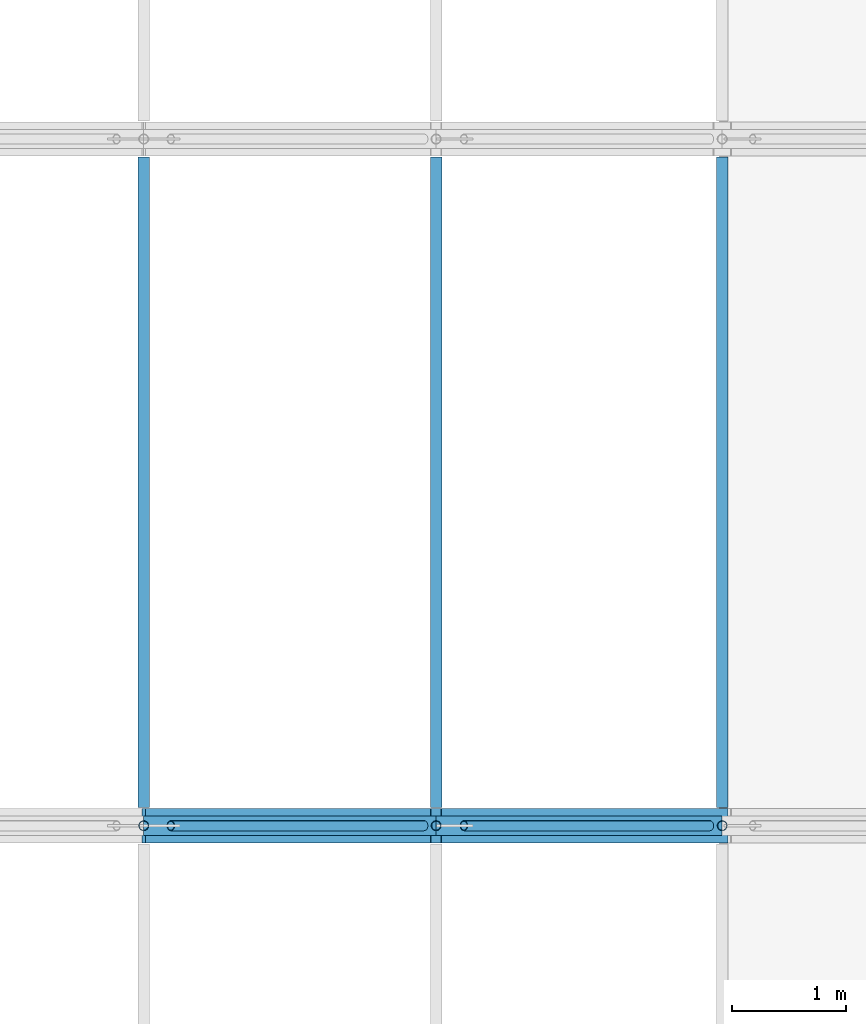
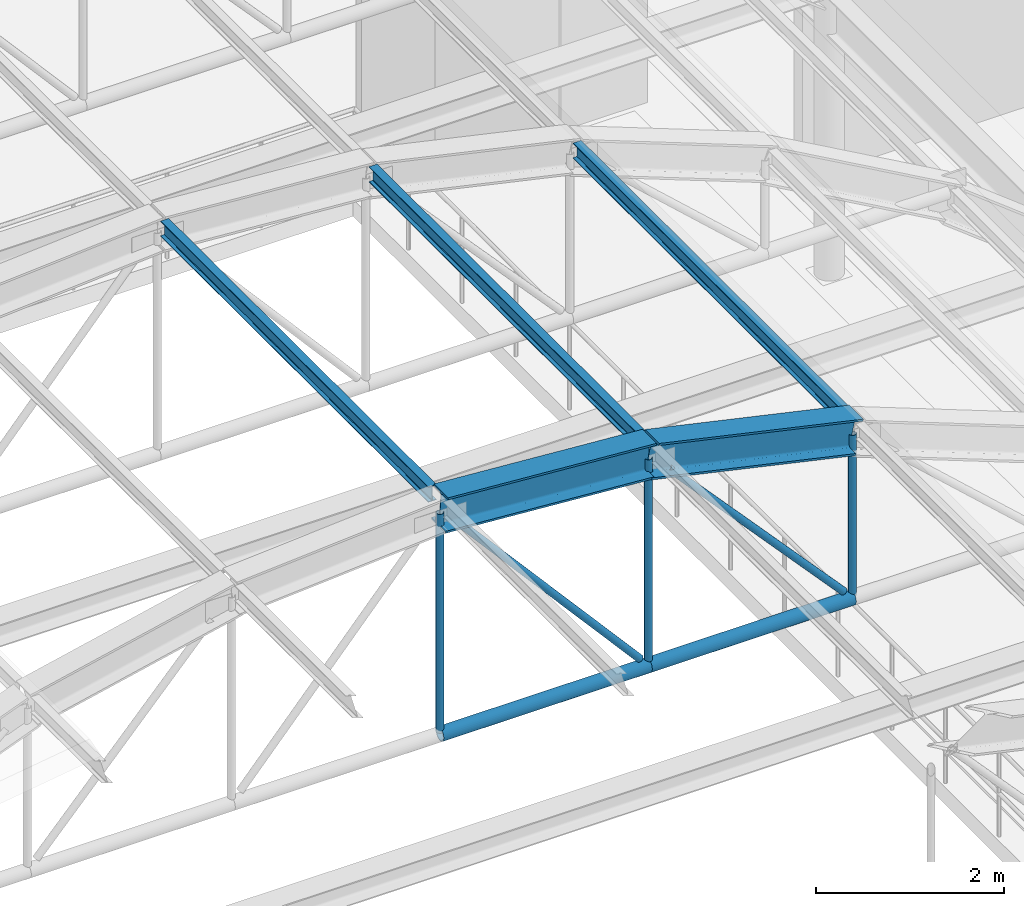
# One storey, part 44 of 148: 7 members, 5 beams.
"""IFC4 building model written with IfcOpenShell, lengths in metres."""

import ifcopenshell
import ifcopenshell.guid

model = None  # the IFC model being written
_history = None  # IfcOwnerHistory: only IFC2X3 demands one
_inside = {}  # id of a spatial element -> (the spatial element, [elements in it])
_under = {}  # id of a project, library or spatial element -> (it, [spatial elements below it])
_declared = {}  # id of a project -> (the project, [libraries it declares])
_typed = {}  # id of a type object -> (the type object, [elements of that type])
_made_of = {}  # id of a material, layer set ... -> (it, [elements and type objects made of it])


def new_model(schema):
    """Start an empty IFC model of exactly this schema.

    Asked for "IFC4X3", IfcOpenShell would pick the latest addendum, in which some entities
    have other attributes; the version numbers below select the first issue.
    IFC2X3 requires an IfcOwnerHistory on every rooted entity: one is made here for all.
    """
    global model, _history
    if schema == "IFC4X3":
        model = ifcopenshell.file(schema_version=(4, 3, 0, 0))
    else:
        model = ifcopenshell.file(schema=schema)
    _inside.clear()
    _under.clear()
    _declared.clear()
    _typed.clear()
    _made_of.clear()
    _history = None
    if model.schema == "IFC2X3":
        org = make("IfcOrganization", Name="unknown")
        user = make(
            "IfcPersonAndOrganization",
            ThePerson=make("IfcPerson", FamilyName="unknown"),
            TheOrganization=org,
        )
        app = make(
            "IfcApplication",
            ApplicationDeveloper=org,
            Version="unknown",
            ApplicationFullName="unknown",
            ApplicationIdentifier="unknown",
        )
        _history = make(
            "IfcOwnerHistory",
            OwningUser=user,
            OwningApplication=app,
            ChangeAction="ADDED",
            CreationDate=0,
        )
    return model


def make(cls, **values):
    """One entity of the class cls with the attributes given. An attribute that is None is left unset."""
    return model.create_entity(
        cls, **{name: value for name, value in values.items() if value is not None}
    )


def rooted(cls, **values):
    """An entity with a GlobalId (a new one), such as an element, a storey or a relation."""
    return make(cls, GlobalId=ifcopenshell.guid.new(), OwnerHistory=_history, **values)


def si_unit(unit_type, name, prefix=None):
    """IfcSIUnit, for example si_unit("LENGTHUNIT", "METRE", prefix="MILLI")."""
    return make("IfcSIUnit", UnitType=unit_type, Prefix=prefix, Name=name)


def assignment(units):
    """IfcUnitAssignment: the units of a project."""
    return None if units is None else make("IfcUnitAssignment", Units=units)


def point(xyz):
    """IfcCartesianPoint."""
    return None if xyz is None else make("IfcCartesianPoint", Coordinates=xyz)


def direction(xyz):
    """IfcDirection."""
    return None if xyz is None else make("IfcDirection", DirectionRatios=xyz)


def frame(location, z_axis=None, x_axis=None):
    """IfcAxis2Placement3D, a coordinate frame: its origin and axes. An axis left out is left unset."""
    return make(
        "IfcAxis2Placement3D",
        Location=point(location),
        Axis=direction(z_axis),
        RefDirection=direction(x_axis),
    )


def frame_2d(location, x_axis=None):
    """IfcAxis2Placement2D, a coordinate frame in the plane: its origin and x axis."""
    return make(
        "IfcAxis2Placement2D", Location=point(location), RefDirection=direction(x_axis)
    )


def origin():
    """The frame at (0, 0, 0) with its axes left unset."""
    return frame((0.0, 0.0, 0.0))


def origin_2d():
    """The frame at (0, 0) in the plane with its x axis left unset."""
    return frame_2d((0.0, 0.0))


def place(relative_to, where):
    """IfcLocalPlacement: puts the frame where relative to a parent placement (None: the world)."""
    return make(
        "IfcLocalPlacement", PlacementRelTo=relative_to, RelativePlacement=where
    )


def context(
    kind, dimensions, precision=None, world=None, true_north=None, identifier=None
):
    """IfcGeometricRepresentationContext, for example the 3D "Model" context."""
    return make(
        "IfcGeometricRepresentationContext",
        ContextIdentifier=identifier,
        ContextType=kind,
        CoordinateSpaceDimension=dimensions,
        Precision=precision,
        WorldCoordinateSystem=world,
        TrueNorth=true_north,
    )


def subcontext(parent, identifier, kind, view, scale=None):
    """IfcGeometricRepresentationSubContext, for example "Body" below "Model"."""
    return make(
        "IfcGeometricRepresentationSubContext",
        ContextIdentifier=identifier,
        ContextType=kind,
        ParentContext=parent,
        TargetScale=scale,
        TargetView=view,
    )


def project(units=None, contexts=None):
    """IfcProject with its units and contexts."""
    return rooted(
        "IfcProject",
        Name="project",
        RepresentationContexts=contexts,
        UnitsInContext=assignment(units),
    )


def spatial(cls, under=None, at=None, **own):
    """A site, building, storey or space (cls), placed at a placement, below another one or the project."""
    s = rooted(cls, ObjectPlacement=at, **own)
    if under is not None:
        _under.setdefault(under.id(), (under, []))[1].append(s)
    return s


def profile(cls, at=None, kind="AREA", **sizes):
    """A parametric profile (cls). Its sizes go by their IFC names, for example OverallWidth=200.0."""
    return make(cls, ProfileType=kind, Position=at, **sizes)


def hollow_circle(**sizes):
    """IfcCircleHollowProfileDef."""
    return profile("IfcCircleHollowProfileDef", **sizes)


def i_section(**sizes):
    """IfcIShapeProfileDef."""
    return profile("IfcIShapeProfileDef", **sizes)


def extrude(swept, where, along, depth):
    """IfcExtrudedAreaSolid: the profile swept, set in the frame where, extruded along a direction by depth."""
    return make(
        "IfcExtrudedAreaSolid",
        SweptArea=swept,
        Position=where,
        ExtrudedDirection=direction(along),
        Depth=depth,
    )


def shape(context_of_items, identifier, shape_type, items):
    """IfcShapeRepresentation: the items that make up one representation, for example the "Body"."""
    return make(
        "IfcShapeRepresentation",
        ContextOfItems=context_of_items,
        RepresentationIdentifier=identifier,
        RepresentationType=shape_type,
        Items=items,
    )


def material(Name=None, Category=None):
    """IfcMaterial."""
    return make("IfcMaterial", Name=Name, Category=Category)


def material_profile(
    of_material, cross_section, Name=None, Category=None, Priority=None
):
    """IfcMaterialProfile: a cross section and its material."""
    return make(
        "IfcMaterialProfile",
        Name=Name,
        Material=of_material,
        Profile=cross_section,
        Priority=Priority,
        Category=Category,
    )


def profile_set(profiles, Name=None, composite=None):
    """IfcMaterialProfileSet."""
    return make(
        "IfcMaterialProfileSet",
        Name=Name,
        MaterialProfiles=profiles,
        CompositeProfile=composite,
    )


def made_of(thing, what):
    """Note that an element or type object is made of a material, layer set ...; save() writes the relation."""
    if what is not None:
        _made_of.setdefault(what.id(), (what, []))[1].append(thing)
    return thing


def type_object(cls, material=None, **own):
    """A type object (cls), such as IfcWallType, which elements share."""
    return made_of(rooted(cls, **own), material)


def element(
    cls,
    number,
    at=None,
    inside=None,
    cuts=None,
    type_object=None,
    material=None,
    context=None,
    identifier="Body",
    shape_type=None,
    held_by="IfcProductDefinitionShape",
    body=None,
    shapes=None,
    **own,
):
    """One element of the class cls, such as IfcWall. Its Tag is "e" and its number.

    at: its placement. inside: the storey or other place that contains it. cuts: it is an
    opening in that element (IfcRelVoidsElement). A single representation is given by context,
    identifier, shape_type and body (its items); several are given by shapes. held_by: the class
    of the entity that holds the representations. save() writes the other relations.
    """
    e = rooted(cls, Tag="e%d" % number, ObjectPlacement=at, **own)
    if body is not None:
        shapes = [shape(context, identifier, shape_type, body)]
    if shapes is not None:
        e.Representation = make(held_by, Representations=shapes)
    if inside is not None:
        _inside.setdefault(inside.id(), (inside, []))[1].append(e)
    if cuts is not None:
        rooted(
            "IfcRelVoidsElement", RelatingBuildingElement=cuts, RelatedOpeningElement=e
        )
    if type_object is not None:
        _typed.setdefault(type_object.id(), (type_object, []))[1].append(e)
    return made_of(e, material)


def aggregate(whole, parts):
    """IfcRelAggregates: a whole, such as a stair, and the parts it consists of."""
    return rooted("IfcRelAggregates", RelatingObject=whole, RelatedObjects=parts)


def save(model, path):
    """Write the relations noted so far, then the file.

    IfcRelAggregates (storeys below a building ...), IfcRelContainedInSpatialStructure (elements
    in a storey), IfcRelDefinesByType, IfcRelAssociatesMaterial and IfcRelDeclares: one each for
    every whole, place, type object, material and project.
    """
    for whole, parts in _under.values():
        aggregate(whole, parts)
    for where, things in _inside.values():
        rooted(
            "IfcRelContainedInSpatialStructure",
            RelatedElements=things,
            RelatingStructure=where,
        )
    for kind, things in _typed.values():
        rooted("IfcRelDefinesByType", RelatedObjects=things, RelatingType=kind)
    for what, things in _made_of.values():
        rooted("IfcRelAssociatesMaterial", RelatedObjects=things, RelatingMaterial=what)
    for by, libraries in _declared.values():
        rooted("IfcRelDeclares", RelatingContext=by, RelatedDefinitions=libraries)
    model.write(path)


model = new_model("IFC4")

# Units and contexts
model_context = context("Model", 3, precision=1e-05, world=origin(), true_north=direction((0.0, 1.0)))
body_context = subcontext(model_context, "Body", "Model", "MODEL_VIEW")
ifc_project = project(units=[si_unit("LENGTHUNIT", "METRE"), si_unit("AREAUNIT", "SQUARE_METRE"), si_unit("VOLUMEUNIT", "CUBIC_METRE"), si_unit("PLANEANGLEUNIT", "RADIAN"), si_unit("MASSUNIT", "GRAM", prefix="KILO"), si_unit("THERMODYNAMICTEMPERATUREUNIT", "KELVIN"), si_unit("POWERUNIT", "WATT")], contexts=[model_context])

# Site, building, storey
site_placement = place(None, origin())
site = spatial("IfcSite", under=ifc_project, at=site_placement, CompositionType="ELEMENT")
building_placement = place(site_placement, origin())
building = spatial("IfcBuilding", under=site, at=building_placement, Name="Solvatero Civic Police Headquarters", CompositionType="ELEMENT")
storey_placement = place(building_placement, frame((0.0, 0.0, 5.10009765625)))
storey = spatial("IfcBuildingStorey", under=building, at=storey_placement, Name="L01", CompositionType="ELEMENT", Elevation=5.10009765625)

# Beams
ifc_material = material(Name="Steel S355", Category="steel")
ifc_material_profile_1 = material_profile(ifc_material, i_section(OverallWidth=0.300048828125, OverallDepth=0.449951171875, WebThickness=0.013916015625, FlangeThickness=0.02587890625, FilletRadius=0.027099609375, at=origin_2d()), Name="HEB 450")
ifc_profile_set_1 = profile_set([ifc_material_profile_1], Name="Steel S355")
beam_type_1 = type_object("IfcBeamType", Name="BM-ST-HEB450", PredefinedType="BEAM", material=ifc_profile_set_1)
beam_1_placement = place(storey_placement, frame((110.5, 22.800048828125, 8.31396484375), z_axis=(0.997304549883, 0.0, -0.073373256584), x_axis=(0.0, 1.0, 0.0)))
element("IfcBeam", 1, at=beam_1_placement, inside=storey, type_object=beam_type_1, Name="VLT1 Tied-Arch Vault Top Chord F4.6", PredefinedType="BEAM", context=body_context, shape_type="SweptSolid", body=[
    extrude(i_section(OverallWidth=0.300048828125, OverallDepth=0.449951171875, WebThickness=0.013916015625, FlangeThickness=0.02587890625, FilletRadius=0.027099609375, at=origin_2d()), origin(), (0.0, 0.0, 1.0), 2.56201171875),
])
beam_2_placement = place(storey_placement, frame((113.05517578125, 22.800048828125, 8.1171875), z_axis=(0.975854055758, 0.0, -0.218423583574), x_axis=(0.0, 1.0, 0.0)))
element("IfcBeam", 2, at=beam_2_placement, inside=storey, type_object=beam_type_1, Name="VLT1 Tied-Arch Vault Top Chord F4.7", PredefinedType="BEAM", context=body_context, shape_type="SweptSolid", body=[
    extrude(i_section(OverallWidth=0.300048828125, OverallDepth=0.449951171875, WebThickness=0.013916015625, FlangeThickness=0.02587890625, FilletRadius=0.027099609375, at=origin_2d()), origin(), (0.0, 0.0, 1.0), 2.561767578125),
])
ifc_material_profile_2 = material_profile(ifc_material, i_section(OverallWidth=0.10009765625, OverallDepth=0.199951171875, WebThickness=0.005615234375, FlangeThickness=0.008544921875, FilletRadius=0.011962890625, at=origin_2d()), Name="IPE 200")
ifc_profile_set_2 = profile_set([ifc_material_profile_2], Name="Steel S355")
beam_type_2 = type_object("IfcBeamType", Name="BM-ST-IPE200", PredefinedType="JOIST", material=ifc_profile_set_2)
for number, where, z_axis, x_axis, name in (
    (3, (110.5, 22.9580078125, 8.41455078125), (0.0, 1.0, 0.0), (-1.0, 0.0, 0.0), "VLT1 Vault Roof Purlin B4.5"),
    (4, (113.05517578125, 22.9580078125, 8.222900390625), (0.0, 1.0, 0.0), (-1.0, 0.0, 0.0), "VLT1 Vault Roof Purlin B4.6"),
    (5, (115.55517578125, 22.9580078125, 7.65576171875), (0.0, 1.0, 0.0), (-1.0, 0.0, 0.0), "VLT1 Vault Roof Purlin B4.7"),
):
    element("IfcBeam", number, at=place(storey_placement, frame(where, z_axis=z_axis, x_axis=x_axis)), inside=storey, type_object=beam_type_2, Name=name, PredefinedType="JOIST", context=body_context, shape_type="SweptSolid", body=[
        extrude(i_section(OverallWidth=0.10009765625, OverallDepth=0.199951171875, WebThickness=0.005615234375, FlangeThickness=0.008544921875, FilletRadius=0.011962890625, at=origin_2d()), origin(), (0.0, 0.0, 1.0), 5.68408203125),
    ])

# Members
ifc_material_profile_3 = material_profile(ifc_material, hollow_circle(Radius=0.04443359375, WallThickness=0.00634765625, at=origin_2d()), Name="CHS 88.9x6.3")
ifc_profile_set_3 = profile_set([ifc_material_profile_3], Name="Steel S355")
member_type_1 = type_object("IfcMemberType", Name="MB-HNG-CHS89", PredefinedType="STRUT", material=ifc_profile_set_3)
member_1_placement = place(storey_placement, frame((112.949951171875, 22.800048828125, 5.51220703125), z_axis=(-0.657605371239, 0.0, 0.753362579186), x_axis=(0.0, -1.0, 0.0)))
element("IfcMember", 6, at=member_1_placement, inside=storey, type_object=member_type_1, Name="VLT1 Vault Truss Diagonal Web F4.5", PredefinedType="STRUT", context=body_context, shape_type="SweptSolid", body=[
    extrude(hollow_circle(Radius=0.04443359375, WallThickness=0.00634765625, at=origin_2d()), origin(), (0.0, 0.0, 1.0), 3.365478515625),
])
member_2_placement = place(storey_placement, frame((115.447265625, 22.800048828125, 5.509765625), z_axis=(-0.674096872288, 0.0, 0.73864294945), x_axis=(0.0, -1.0, 0.0)))
element("IfcMember", 7, at=member_2_placement, inside=storey, type_object=member_type_1, Name="VLT1 Vault Truss Diagonal Web F4.6", PredefinedType="STRUT", context=body_context, shape_type="SweptSolid", body=[
    extrude(hollow_circle(Radius=0.04443359375, WallThickness=0.00634765625, at=origin_2d()), origin(), (0.0, 0.0, 1.0), 3.1884765625),
])
member_3_placement = place(storey_placement, frame((110.5, 22.800048828125, 5.431640625), z_axis=(0.0, 0.0, 1.0), x_axis=(1.0, 0.0, 0.0)))
element("IfcMember", 8, at=member_3_placement, inside=storey, type_object=member_type_1, Name="VLT1 Vault Vertical Hanger F4.5", PredefinedType="STRUT", context=body_context, shape_type="SweptSolid", body=[
    extrude(hollow_circle(Radius=0.04443359375, WallThickness=0.00634765625, at=origin_2d()), origin(), (0.0, 0.0, 1.0), 2.837158203125),
])
member_4_placement = place(storey_placement, frame((113.05517578125, 22.800048828125, 5.431640625), z_axis=(0.0, 0.0, 1.0), x_axis=(1.0, 0.0, 0.0)))
element("IfcMember", 9, at=member_4_placement, inside=storey, type_object=member_type_1, Name="VLT1 Vault Vertical Hanger F4.6", PredefinedType="STRUT", context=body_context, shape_type="SweptSolid", body=[
    extrude(hollow_circle(Radius=0.04443359375, WallThickness=0.00634765625, at=origin_2d()), origin(), (0.0, 0.0, 1.0), 2.649169921875),
])
member_5_placement = place(storey_placement, frame((115.55517578125, 22.800048828125, 5.431640625), z_axis=(0.0, 0.0, 1.0), x_axis=(1.0, 0.0, 0.0)))
element("IfcMember", 10, at=member_5_placement, inside=storey, type_object=member_type_1, Name="VLT1 Vault Vertical Hanger F4.7", PredefinedType="STRUT", context=body_context, shape_type="SweptSolid", body=[
    extrude(hollow_circle(Radius=0.04443359375, WallThickness=0.00634765625, at=origin_2d()), origin(), (0.0, 0.0, 1.0), 2.08935546875),
])
ifc_material_profile_4 = material_profile(ifc_material, hollow_circle(Radius=0.084228515625, WallThickness=0.010009765625, at=origin_2d()), Name="CHS 168.3x10.0")
ifc_profile_set_4 = profile_set([ifc_material_profile_4], Name="Steel S355")
member_type_2 = type_object("IfcMemberType", Name="MB-TIE-CHS168", PredefinedType="CHORD", material=ifc_profile_set_4)
member_6_placement = place(storey_placement, frame((110.5, 22.800048828125, 5.3916015625), z_axis=(1.0, 0.0, 0.0), x_axis=(0.0, 1.0, 0.0)))
element("IfcMember", 11, at=member_6_placement, inside=storey, type_object=member_type_2, Name="VLT1 Vault Horizontal Tie Chord F4.5", PredefinedType="CHORD", context=body_context, shape_type="SweptSolid", body=[
    extrude(hollow_circle(Radius=0.084228515625, WallThickness=0.010009765625, at=origin_2d()), origin(), (0.0, 0.0, 1.0), 2.55517578125),
])
member_7_placement = place(storey_placement, frame((113.05517578125, 22.800048828125, 5.3916015625), z_axis=(1.0, 0.0, 0.0), x_axis=(0.0, 1.0, 0.0)))
element("IfcMember", 12, at=member_7_placement, inside=storey, type_object=member_type_2, Name="VLT1 Vault Horizontal Tie Chord F4.6", PredefinedType="CHORD", context=body_context, shape_type="SweptSolid", body=[
    extrude(hollow_circle(Radius=0.084228515625, WallThickness=0.010009765625, at=origin_2d()), origin(), (0.0, 0.0, 1.0), 2.5),
])

save(model, "model.ifc")
